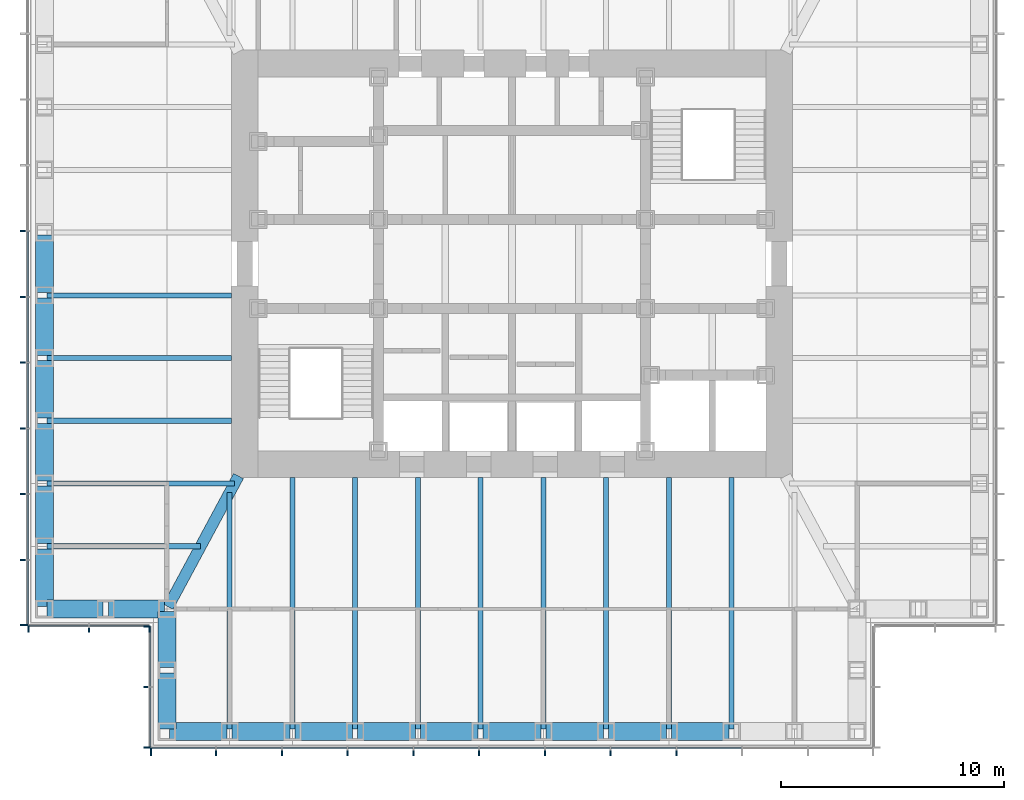
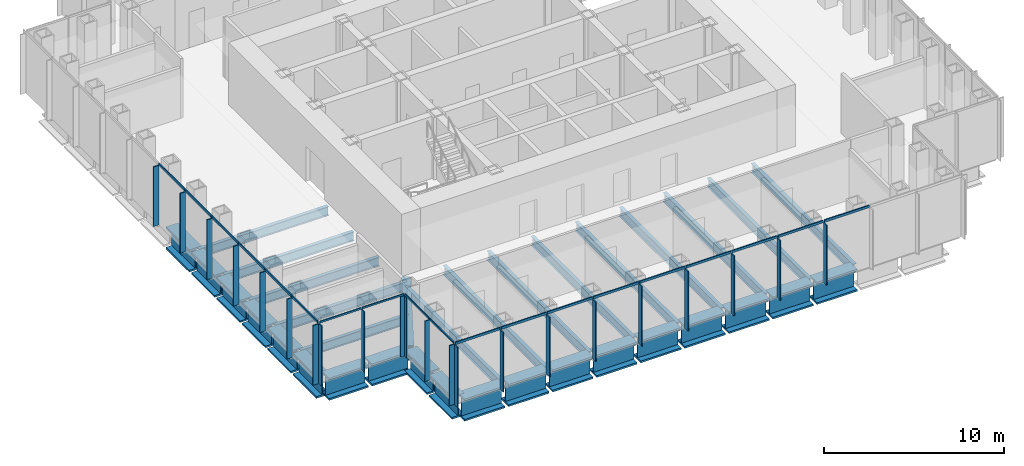
# One storey, part 2 of 17: 41 members, 34 beams, 4 elements without a shape of their own.
"""IFC4 building model written with IfcOpenShell, lengths in metres."""

from ifc_helpers import new_model, si_unit, direction, frame, origin, origin_2d, place, context, subcontext, project, spatial, rectangle, i_section, extrude, material, material_profile, profile_set, type_object, element, aggregate, save


model = new_model("IFC4")

# Units and contexts
model_context = context("Model", 3, precision=1e-05, world=origin(), true_north=direction((0.0, 1.0)))
body_context = subcontext(model_context, "Body", "Model", "MODEL_VIEW")
ifc_project = project(units=[si_unit("LENGTHUNIT", "METRE"), si_unit("AREAUNIT", "SQUARE_METRE"), si_unit("VOLUMEUNIT", "CUBIC_METRE"), si_unit("PLANEANGLEUNIT", "RADIAN"), si_unit("MASSUNIT", "GRAM", prefix="KILO")], contexts=[model_context])

# Site, building, storey
site_placement = place(None, origin())
site = spatial("IfcSite", under=ifc_project, at=site_placement, CompositionType="ELEMENT")
building_placement = place(site_placement, origin())
building = spatial("IfcBuilding", under=site, at=building_placement, Name="Daluyong Arena Tower", CompositionType="ELEMENT")
storey_placement = place(building_placement, frame((0.0, 0.0, 223.300048828125)))
storey = spatial("IfcBuildingStorey", under=building, at=storey_placement, Name="L50", CompositionType="ELEMENT", Elevation=223.300048828125)

# Curtain wall, members
ifc_material_1 = material(Name="Bronze anodised aluminium and glass", Category="aluminium")
curtain_wall_type_1 = type_object("IfcCurtainWallType", Name="Curtain wall CW3", PredefinedType="USERDEFINED", material=ifc_material_1)
curtain_wall_1_placement = place(storey_placement, origin())
curtain_wall_1 = element("IfcCurtainWall", 1, at=curtain_wall_1_placement, inside=storey, type_object=curtain_wall_type_1, Name="curtain wall L50 S", ObjectType="UNITISED CURTAIN WALL", PredefinedType="USERDEFINED")
ifc_material_2 = material(Name="Bronze anodised aluminium fin", Category="aluminium")
ifc_material_profile_1 = material_profile(ifc_material_2, rectangle(XDim=0.35009765625, YDim=0.070068359375, at=origin_2d()))
ifc_profile_set_1 = profile_set([ifc_material_profile_1], Name="Bronze anodised aluminium fin")
member_type_1 = type_object("IfcMemberType", Name="CW3 bronze fin 350x70", PredefinedType="MULLION", material=ifc_profile_set_1)
member_1_placement = place(storey_placement, frame((39.784912109375, 58.074951171875, 0.0), z_axis=(0.0, 0.0, 1.0), x_axis=(0.0, 1.0, 0.0)))
member_1 = element("IfcMember", 2, at=member_1_placement, type_object=member_type_1, Name="curtain wall L50 S fin 1", PredefinedType="MULLION", context=body_context, shape_type="SweptSolid", body=[
    extrude(rectangle(XDim=0.35009765625, YDim=0.070068359375, at=origin_2d()), origin(), (0.0, 0.0, 1.0), 4.0400390625),
])
member_2_placement = place(storey_placement, frame((42.70458984375, 58.074951171875, 0.0), z_axis=(0.0, 0.0, 1.0), x_axis=(0.0, 1.0, 0.0)))
member_2 = element("IfcMember", 3, at=member_2_placement, type_object=member_type_1, Name="curtain wall L50 S fin 2", PredefinedType="MULLION", context=body_context, shape_type="SweptSolid", body=[
    extrude(rectangle(XDim=0.35009765625, YDim=0.070068359375, at=origin_2d()), origin(), (0.0, 0.0, 1.0), 4.0400390625),
])
member_3_placement = place(storey_placement, frame((45.6591796875, 58.074951171875, 0.0), z_axis=(0.0, 0.0, 1.0), x_axis=(0.0, 1.0, 0.0)))
member_3 = element("IfcMember", 4, at=member_3_placement, type_object=member_type_1, Name="curtain wall L50 S fin 3", PredefinedType="MULLION", context=body_context, shape_type="SweptSolid", body=[
    extrude(rectangle(XDim=0.35009765625, YDim=0.070068359375, at=origin_2d()), origin(), (0.0, 0.0, 1.0), 4.0400390625),
])
member_4_placement = place(storey_placement, frame((48.613525390625, 58.074951171875, 0.0), z_axis=(0.0, 0.0, 1.0), x_axis=(0.0, 1.0, 0.0)))
member_4 = element("IfcMember", 5, at=member_4_placement, type_object=member_type_1, Name="curtain wall L50 S fin 4", PredefinedType="MULLION", context=body_context, shape_type="SweptSolid", body=[
    extrude(rectangle(XDim=0.35009765625, YDim=0.070068359375, at=origin_2d()), origin(), (0.0, 0.0, 1.0), 4.0400390625),
])
member_5_placement = place(storey_placement, frame((51.568115234375, 58.074951171875, 0.0), z_axis=(0.0, 0.0, 1.0), x_axis=(0.0, 1.0, 0.0)))
member_5 = element("IfcMember", 6, at=member_5_placement, type_object=member_type_1, Name="curtain wall L50 S fin 5", PredefinedType="MULLION", context=body_context, shape_type="SweptSolid", body=[
    extrude(rectangle(XDim=0.35009765625, YDim=0.070068359375, at=origin_2d()), origin(), (0.0, 0.0, 1.0), 4.0400390625),
])
member_6_placement = place(storey_placement, frame((54.522705078125, 58.074951171875, 0.0), z_axis=(0.0, 0.0, 1.0), x_axis=(0.0, 1.0, 0.0)))
member_6 = element("IfcMember", 7, at=member_6_placement, type_object=member_type_1, Name="curtain wall L50 S fin 6", PredefinedType="MULLION", context=body_context, shape_type="SweptSolid", body=[
    extrude(rectangle(XDim=0.35009765625, YDim=0.070068359375, at=origin_2d()), origin(), (0.0, 0.0, 1.0), 4.0400390625),
])
member_7_placement = place(storey_placement, frame((57.477294921875, 58.074951171875, 0.0), z_axis=(0.0, 0.0, 1.0), x_axis=(0.0, 1.0, 0.0)))
member_7 = element("IfcMember", 8, at=member_7_placement, type_object=member_type_1, Name="curtain wall L50 S fin 7", PredefinedType="MULLION", context=body_context, shape_type="SweptSolid", body=[
    extrude(rectangle(XDim=0.35009765625, YDim=0.070068359375, at=origin_2d()), origin(), (0.0, 0.0, 1.0), 4.0400390625),
])
member_8_placement = place(storey_placement, frame((60.431884765625, 58.074951171875, 0.0), z_axis=(0.0, 0.0, 1.0), x_axis=(0.0, 1.0, 0.0)))
member_8 = element("IfcMember", 9, at=member_8_placement, type_object=member_type_1, Name="curtain wall L50 S fin 8", PredefinedType="MULLION", context=body_context, shape_type="SweptSolid", body=[
    extrude(rectangle(XDim=0.35009765625, YDim=0.070068359375, at=origin_2d()), origin(), (0.0, 0.0, 1.0), 4.0400390625),
])
member_9_placement = place(storey_placement, frame((63.386474609375, 58.074951171875, 0.0), z_axis=(0.0, 0.0, 1.0), x_axis=(0.0, 1.0, 0.0)))
member_9 = element("IfcMember", 10, at=member_9_placement, type_object=member_type_1, Name="curtain wall L50 S fin 9", PredefinedType="MULLION", context=body_context, shape_type="SweptSolid", body=[
    extrude(rectangle(XDim=0.35009765625, YDim=0.070068359375, at=origin_2d()), origin(), (0.0, 0.0, 1.0), 4.0400390625),
])

curtain_wall_2_placement = place(storey_placement, origin())
curtain_wall_2 = element("IfcCurtainWall", 11, at=curtain_wall_2_placement, inside=storey, type_object=curtain_wall_type_1, Name="curtain wall L50 W", ObjectType="UNITISED CURTAIN WALL", PredefinedType="USERDEFINED")
member_10_placement = place(storey_placement, frame((34.074951171875, 81.477294921875, 0.0), z_axis=(0.0, 0.0, 1.0), x_axis=(1.0, 0.0, 0.0)))
member_10 = element("IfcMember", 12, at=member_10_placement, type_object=member_type_1, Name="curtain wall L50 W fin 6", PredefinedType="MULLION", context=body_context, shape_type="SweptSolid", body=[
    extrude(rectangle(XDim=0.35009765625, YDim=0.070068359375, at=origin_2d()), origin(), (0.0, 0.0, 1.0), 4.0400390625),
])
member_11_placement = place(storey_placement, frame((34.074951171875, 78.522705078125, 0.0), z_axis=(0.0, 0.0, 1.0), x_axis=(1.0, 0.0, 0.0)))
member_11 = element("IfcMember", 13, at=member_11_placement, type_object=member_type_1, Name="curtain wall L50 W fin 7", PredefinedType="MULLION", context=body_context, shape_type="SweptSolid", body=[
    extrude(rectangle(XDim=0.35009765625, YDim=0.070068359375, at=origin_2d()), origin(), (0.0, 0.0, 1.0), 4.0400390625),
])
member_12_placement = place(storey_placement, frame((34.074951171875, 75.568115234375, 0.0), z_axis=(0.0, 0.0, 1.0), x_axis=(1.0, 0.0, 0.0)))
member_12 = element("IfcMember", 14, at=member_12_placement, type_object=member_type_1, Name="curtain wall L50 W fin 8", PredefinedType="MULLION", context=body_context, shape_type="SweptSolid", body=[
    extrude(rectangle(XDim=0.35009765625, YDim=0.070068359375, at=origin_2d()), origin(), (0.0, 0.0, 1.0), 4.0400390625),
])
member_13_placement = place(storey_placement, frame((34.074951171875, 72.613525390625, 0.0), z_axis=(0.0, 0.0, 1.0), x_axis=(1.0, 0.0, 0.0)))
member_13 = element("IfcMember", 15, at=member_13_placement, type_object=member_type_1, Name="curtain wall L50 W fin 9", PredefinedType="MULLION", context=body_context, shape_type="SweptSolid", body=[
    extrude(rectangle(XDim=0.35009765625, YDim=0.070068359375, at=origin_2d()), origin(), (0.0, 0.0, 1.0), 4.0400390625),
])
member_14_placement = place(storey_placement, frame((34.074951171875, 69.6591796875, 0.0), z_axis=(0.0, 0.0, 1.0), x_axis=(1.0, 0.0, 0.0)))
member_14 = element("IfcMember", 16, at=member_14_placement, type_object=member_type_1, Name="curtain wall L50 W fin 10", PredefinedType="MULLION", context=body_context, shape_type="SweptSolid", body=[
    extrude(rectangle(XDim=0.35009765625, YDim=0.070068359375, at=origin_2d()), origin(), (0.0, 0.0, 1.0), 4.0400390625),
])
member_15_placement = place(storey_placement, frame((34.074951171875, 66.70458984375, 0.0), z_axis=(0.0, 0.0, 1.0), x_axis=(1.0, 0.0, 0.0)))
member_15 = element("IfcMember", 17, at=member_15_placement, type_object=member_type_1, Name="curtain wall L50 W fin 11", PredefinedType="MULLION", context=body_context, shape_type="SweptSolid", body=[
    extrude(rectangle(XDim=0.35009765625, YDim=0.070068359375, at=origin_2d()), origin(), (0.0, 0.0, 1.0), 4.0400390625),
])
member_16_placement = place(storey_placement, frame((34.074951171875, 63.784912109375, 0.0), z_axis=(0.0, 0.0, 1.0), x_axis=(1.0, 0.0, 0.0)))
member_16 = element("IfcMember", 18, at=member_16_placement, type_object=member_type_1, Name="curtain wall L50 W fin 12", PredefinedType="MULLION", context=body_context, shape_type="SweptSolid", body=[
    extrude(rectangle(XDim=0.35009765625, YDim=0.070068359375, at=origin_2d()), origin(), (0.0, 0.0, 1.0), 4.0400390625),
])

# Member
ifc_material_3 = material(Name="Bronze anodised aluminium", Category="aluminium")
ifc_material_profile_2 = material_profile(ifc_material_3, rectangle(XDim=0.070068359375, YDim=0.159912109375, at=origin_2d()))
ifc_profile_set_2 = profile_set([ifc_material_profile_2], Name="Bronze anodised aluminium")
member_type_2 = type_object("IfcMemberType", Name="CW3 stack transom 160x70", PredefinedType="USERDEFINED", material=ifc_profile_set_2)
member_17_placement = place(storey_placement, frame((39.820068359375, 58.25, 4.119873046875), z_axis=(1.0, 0.0, 0.0), x_axis=(0.0, 1.0, 0.0)))
member_17 = element("IfcMember", 19, at=member_17_placement, type_object=member_type_2, Name="curtain wall L50 S transom 1", ObjectType="TRANSOM", PredefinedType="USERDEFINED", context=body_context, shape_type="SweptSolid", body=[
    extrude(rectangle(XDim=0.070068359375, YDim=0.159912109375, at=origin_2d()), origin(), (0.0, 0.0, 1.0), 2.849365234375),
])

member_18_placement = place(storey_placement, frame((42.739501953125, 58.25, 4.119873046875), z_axis=(1.0, 0.0, 0.0), x_axis=(0.0, 1.0, 0.0)))
member_18 = element("IfcMember", 20, at=member_18_placement, type_object=member_type_2, Name="curtain wall L50 S transom 2", ObjectType="TRANSOM", PredefinedType="USERDEFINED", context=body_context, shape_type="SweptSolid", body=[
    extrude(rectangle(XDim=0.070068359375, YDim=0.159912109375, at=origin_2d()), origin(), (0.0, 0.0, 1.0), 2.884521484375),
])

member_19_placement = place(storey_placement, frame((45.694091796875, 58.25, 4.119873046875), z_axis=(1.0, 0.0, 0.0), x_axis=(0.0, 1.0, 0.0)))
member_19 = element("IfcMember", 21, at=member_19_placement, type_object=member_type_2, Name="curtain wall L50 S transom 3", ObjectType="TRANSOM", PredefinedType="USERDEFINED", context=body_context, shape_type="SweptSolid", body=[
    extrude(rectangle(XDim=0.070068359375, YDim=0.159912109375, at=origin_2d()), origin(), (0.0, 0.0, 1.0), 2.884521484375),
])

member_20_placement = place(storey_placement, frame((48.648681640625, 58.25, 4.119873046875), z_axis=(1.0, 0.0, 0.0), x_axis=(0.0, 1.0, 0.0)))
member_20 = element("IfcMember", 22, at=member_20_placement, type_object=member_type_2, Name="curtain wall L50 S transom 4", ObjectType="TRANSOM", PredefinedType="USERDEFINED", context=body_context, shape_type="SweptSolid", body=[
    extrude(rectangle(XDim=0.070068359375, YDim=0.159912109375, at=origin_2d()), origin(), (0.0, 0.0, 1.0), 2.884521484375),
])

member_21_placement = place(storey_placement, frame((51.603271484375, 58.25, 4.119873046875), z_axis=(1.0, 0.0, 0.0), x_axis=(0.0, 1.0, 0.0)))
member_21 = element("IfcMember", 23, at=member_21_placement, type_object=member_type_2, Name="curtain wall L50 S transom 5", ObjectType="TRANSOM", PredefinedType="USERDEFINED", context=body_context, shape_type="SweptSolid", body=[
    extrude(rectangle(XDim=0.070068359375, YDim=0.159912109375, at=origin_2d()), origin(), (0.0, 0.0, 1.0), 2.884521484375),
])

member_22_placement = place(storey_placement, frame((54.5576171875, 58.25, 4.119873046875), z_axis=(1.0, 0.0, 0.0), x_axis=(0.0, 1.0, 0.0)))
member_22 = element("IfcMember", 24, at=member_22_placement, type_object=member_type_2, Name="curtain wall L50 S transom 6", ObjectType="TRANSOM", PredefinedType="USERDEFINED", context=body_context, shape_type="SweptSolid", body=[
    extrude(rectangle(XDim=0.070068359375, YDim=0.159912109375, at=origin_2d()), origin(), (0.0, 0.0, 1.0), 2.884765625),
])

member_23_placement = place(storey_placement, frame((57.51220703125, 58.25, 4.119873046875), z_axis=(1.0, 0.0, 0.0), x_axis=(0.0, 1.0, 0.0)))
member_23 = element("IfcMember", 25, at=member_23_placement, type_object=member_type_2, Name="curtain wall L50 S transom 7", ObjectType="TRANSOM", PredefinedType="USERDEFINED", context=body_context, shape_type="SweptSolid", body=[
    extrude(rectangle(XDim=0.070068359375, YDim=0.159912109375, at=origin_2d()), origin(), (0.0, 0.0, 1.0), 2.884521484375),
])

member_24_placement = place(storey_placement, frame((60.466796875, 58.25, 4.119873046875), z_axis=(1.0, 0.0, 0.0), x_axis=(0.0, 1.0, 0.0)))
member_24 = element("IfcMember", 26, at=member_24_placement, type_object=member_type_2, Name="curtain wall L50 S transom 8", ObjectType="TRANSOM", PredefinedType="USERDEFINED", context=body_context, shape_type="SweptSolid", body=[
    extrude(rectangle(XDim=0.070068359375, YDim=0.159912109375, at=origin_2d()), origin(), (0.0, 0.0, 1.0), 2.884521484375),
])

member_25_placement = place(storey_placement, frame((63.42138671875, 58.25, 4.119873046875), z_axis=(1.0, 0.0, 0.0), x_axis=(0.0, 1.0, 0.0)))
member_25 = element("IfcMember", 27, at=member_25_placement, type_object=member_type_2, Name="curtain wall L50 S transom 9", ObjectType="TRANSOM", PredefinedType="USERDEFINED", context=body_context, shape_type="SweptSolid", body=[
    extrude(rectangle(XDim=0.070068359375, YDim=0.159912109375, at=origin_2d()), origin(), (0.0, 0.0, 1.0), 2.884521484375),
])

aggregate(curtain_wall_1, [member_1, member_2, member_3, member_4, member_5, member_6, member_7, member_8, member_9, member_17, member_18, member_19, member_20, member_21, member_22, member_23, member_24, member_25])

member_26_placement = place(storey_placement, frame((34.25, 81.4423828125, 4.119873046875), z_axis=(0.0, -1.0, 0.0), x_axis=(1.0, 0.0, 0.0)))
member_26 = element("IfcMember", 28, at=member_26_placement, type_object=member_type_2, Name="curtain wall L50 W transom 6", ObjectType="TRANSOM", PredefinedType="USERDEFINED", context=body_context, shape_type="SweptSolid", body=[
    extrude(rectangle(XDim=0.070068359375, YDim=0.159912109375, at=origin_2d()), origin(), (0.0, 0.0, 1.0), 2.884765625),
])

member_27_placement = place(storey_placement, frame((34.25, 78.48779296875, 4.119873046875), z_axis=(0.0, -1.0, 0.0), x_axis=(1.0, 0.0, 0.0)))
member_27 = element("IfcMember", 29, at=member_27_placement, type_object=member_type_2, Name="curtain wall L50 W transom 7", ObjectType="TRANSOM", PredefinedType="USERDEFINED", context=body_context, shape_type="SweptSolid", body=[
    extrude(rectangle(XDim=0.070068359375, YDim=0.159912109375, at=origin_2d()), origin(), (0.0, 0.0, 1.0), 2.884521484375),
])

member_28_placement = place(storey_placement, frame((34.25, 75.533203125, 4.119873046875), z_axis=(0.0, -1.0, 0.0), x_axis=(1.0, 0.0, 0.0)))
member_28 = element("IfcMember", 30, at=member_28_placement, type_object=member_type_2, Name="curtain wall L50 W transom 8", ObjectType="TRANSOM", PredefinedType="USERDEFINED", context=body_context, shape_type="SweptSolid", body=[
    extrude(rectangle(XDim=0.070068359375, YDim=0.159912109375, at=origin_2d()), origin(), (0.0, 0.0, 1.0), 2.884521484375),
])

member_29_placement = place(storey_placement, frame((34.25, 72.57861328125, 4.119873046875), z_axis=(0.0, -1.0, 0.0), x_axis=(1.0, 0.0, 0.0)))
member_29 = element("IfcMember", 31, at=member_29_placement, type_object=member_type_2, Name="curtain wall L50 W transom 9", ObjectType="TRANSOM", PredefinedType="USERDEFINED", context=body_context, shape_type="SweptSolid", body=[
    extrude(rectangle(XDim=0.070068359375, YDim=0.159912109375, at=origin_2d()), origin(), (0.0, 0.0, 1.0), 2.884521484375),
])

member_30_placement = place(storey_placement, frame((34.25, 69.6240234375, 4.119873046875), z_axis=(0.0, -1.0, 0.0), x_axis=(1.0, 0.0, 0.0)))
member_30 = element("IfcMember", 32, at=member_30_placement, type_object=member_type_2, Name="curtain wall L50 W transom 10", ObjectType="TRANSOM", PredefinedType="USERDEFINED", context=body_context, shape_type="SweptSolid", body=[
    extrude(rectangle(XDim=0.070068359375, YDim=0.159912109375, at=origin_2d()), origin(), (0.0, 0.0, 1.0), 2.884521484375),
])

member_31_placement = place(storey_placement, frame((34.25, 66.66943359375, 4.119873046875), z_axis=(0.0, -1.0, 0.0), x_axis=(1.0, 0.0, 0.0)))
member_31 = element("IfcMember", 33, at=member_31_placement, type_object=member_type_2, Name="curtain wall L50 W transom 11", ObjectType="TRANSOM", PredefinedType="USERDEFINED", context=body_context, shape_type="SweptSolid", body=[
    extrude(rectangle(XDim=0.070068359375, YDim=0.159912109375, at=origin_2d()), origin(), (0.0, 0.0, 1.0), 2.849365234375),
])

aggregate(curtain_wall_2, [member_10, member_11, member_12, member_13, member_14, member_15, member_16, member_26, member_27, member_28, member_29, member_30, member_31])

# Curtain wall, members
ifc_material_4 = material(Name="Bronze anodised aluminium and glass", Category="aluminium")
curtain_wall_type_2 = type_object("IfcCurtainWallType", Name="Curtain wall CW7", PredefinedType="USERDEFINED", material=ifc_material_4)
curtain_wall_3_placement = place(storey_placement, origin())
curtain_wall_3 = element("IfcCurtainWall", 34, at=curtain_wall_3_placement, inside=storey, type_object=curtain_wall_type_2, Name="curtain wall L50 SW-S", ObjectType="UNITISED CURTAIN WALL", PredefinedType="USERDEFINED")
ifc_material_5 = material(Name="Bronze anodised aluminium fin", Category="aluminium")
ifc_material_profile_3 = material_profile(ifc_material_5, rectangle(XDim=0.300048828125, YDim=0.06005859375, at=origin_2d()))
ifc_profile_set_3 = profile_set([ifc_material_profile_3], Name="Bronze anodised aluminium fin")
member_type_3 = type_object("IfcMemberType", Name="CW7 bronze fin 300x60", PredefinedType="MULLION", material=ifc_profile_set_3)
member_32_placement = place(storey_placement, frame((34.280029296875, 63.60009765625, 0.0), z_axis=(0.0, 0.0, 1.0), x_axis=(0.0, 1.0, 0.0)))
member_32 = element("IfcMember", 35, at=member_32_placement, type_object=member_type_3, Name="curtain wall L50 SW-S fin 1", PredefinedType="MULLION", context=body_context, shape_type="SweptSolid", body=[
    extrude(rectangle(XDim=0.300048828125, YDim=0.06005859375, at=origin_2d()), origin(), (0.0, 0.0, 1.0), 4.079833984375),
])
member_33_placement = place(storey_placement, frame((37.0, 63.60009765625, 0.0), z_axis=(0.0, 0.0, 1.0), x_axis=(0.0, 1.0, 0.0)))
member_33 = element("IfcMember", 36, at=member_33_placement, type_object=member_type_3, Name="curtain wall L50 SW-S fin 2", PredefinedType="MULLION", context=body_context, shape_type="SweptSolid", body=[
    extrude(rectangle(XDim=0.300048828125, YDim=0.06005859375, at=origin_2d()), origin(), (0.0, 0.0, 1.0), 4.079833984375),
])
member_34_placement = place(storey_placement, frame((39.719970703125, 63.60009765625, 0.0), z_axis=(0.0, 0.0, 1.0), x_axis=(0.0, 1.0, 0.0)))
member_34 = element("IfcMember", 37, at=member_34_placement, type_object=member_type_3, Name="curtain wall L50 SW-S fin 3", PredefinedType="MULLION", context=body_context, shape_type="SweptSolid", body=[
    extrude(rectangle(XDim=0.300048828125, YDim=0.06005859375, at=origin_2d()), origin(), (0.0, 0.0, 1.0), 4.079833984375),
])

curtain_wall_4_placement = place(storey_placement, origin())
curtain_wall_4 = element("IfcCurtainWall", 38, at=curtain_wall_4_placement, inside=storey, type_object=curtain_wall_type_2, Name="curtain wall L50 SW-W", ObjectType="UNITISED CURTAIN WALL", PredefinedType="USERDEFINED")
member_35_placement = place(storey_placement, frame((39.60009765625, 63.719970703125, 0.0), z_axis=(0.0, 0.0, 1.0), x_axis=(1.0, 0.0, 0.0)))
member_35 = element("IfcMember", 39, at=member_35_placement, type_object=member_type_3, Name="curtain wall L50 SW-W fin 1", PredefinedType="MULLION", context=body_context, shape_type="SweptSolid", body=[
    extrude(rectangle(XDim=0.300048828125, YDim=0.06005859375, at=origin_2d()), origin(), (0.0, 0.0, 1.0), 4.079833984375),
])
member_36_placement = place(storey_placement, frame((39.60009765625, 61.0, 0.0), z_axis=(0.0, 0.0, 1.0), x_axis=(1.0, 0.0, 0.0)))
member_36 = element("IfcMember", 40, at=member_36_placement, type_object=member_type_3, Name="curtain wall L50 SW-W fin 2", PredefinedType="MULLION", context=body_context, shape_type="SweptSolid", body=[
    extrude(rectangle(XDim=0.300048828125, YDim=0.06005859375, at=origin_2d()), origin(), (0.0, 0.0, 1.0), 4.079833984375),
])
member_37_placement = place(storey_placement, frame((39.60009765625, 58.280029296875, 0.0), z_axis=(0.0, 0.0, 1.0), x_axis=(1.0, 0.0, 0.0)))
member_37 = element("IfcMember", 41, at=member_37_placement, type_object=member_type_3, Name="curtain wall L50 SW-W fin 3", PredefinedType="MULLION", context=body_context, shape_type="SweptSolid", body=[
    extrude(rectangle(XDim=0.300048828125, YDim=0.06005859375, at=origin_2d()), origin(), (0.0, 0.0, 1.0), 4.079833984375),
])

# Member
ifc_material_6 = material(Name="Bronze anodised aluminium", Category="aluminium")
ifc_material_profile_4 = material_profile(ifc_material_6, rectangle(XDim=0.06005859375, YDim=0.1201171875, at=origin_2d()))
ifc_profile_set_4 = profile_set([ifc_material_profile_4], Name="Bronze anodised aluminium")
member_type_4 = type_object("IfcMemberType", Name="CW7 stack transom 120x60", PredefinedType="USERDEFINED", material=ifc_profile_set_4)
member_38_placement = place(storey_placement, frame((34.31005859375, 63.75, 4.139892578125), z_axis=(1.0, 0.0, 0.0), x_axis=(0.0, 1.0, 0.0)))
member_38 = element("IfcMember", 42, at=member_38_placement, type_object=member_type_4, Name="curtain wall L50 SW-S transom 1", ObjectType="TRANSOM", PredefinedType="USERDEFINED", context=body_context, shape_type="SweptSolid", body=[
    extrude(rectangle(XDim=0.06005859375, YDim=0.1201171875, at=origin_2d()), origin(), (0.0, 0.0, 1.0), 2.659912109375),
])

member_39_placement = place(storey_placement, frame((37.030029296875, 63.75, 4.139892578125), z_axis=(1.0, 0.0, 0.0), x_axis=(0.0, 1.0, 0.0)))
member_39 = element("IfcMember", 43, at=member_39_placement, type_object=member_type_4, Name="curtain wall L50 SW-S transom 2", ObjectType="TRANSOM", PredefinedType="USERDEFINED", context=body_context, shape_type="SweptSolid", body=[
    extrude(rectangle(XDim=0.06005859375, YDim=0.1201171875, at=origin_2d()), origin(), (0.0, 0.0, 1.0), 2.659912109375),
])

aggregate(curtain_wall_3, [member_32, member_33, member_34, member_38, member_39])

member_40_placement = place(storey_placement, frame((39.75, 63.68994140625, 4.139892578125), z_axis=(0.0, -1.0, 0.0), x_axis=(1.0, 0.0, 0.0)))
member_40 = element("IfcMember", 44, at=member_40_placement, type_object=member_type_4, Name="curtain wall L50 SW-W transom 1", ObjectType="TRANSOM", PredefinedType="USERDEFINED", context=body_context, shape_type="SweptSolid", body=[
    extrude(rectangle(XDim=0.06005859375, YDim=0.1201171875, at=origin_2d()), origin(), (0.0, 0.0, 1.0), 2.659912109375),
])

member_41_placement = place(storey_placement, frame((39.75, 60.969970703125, 4.139892578125), z_axis=(0.0, -1.0, 0.0), x_axis=(1.0, 0.0, 0.0)))
member_41 = element("IfcMember", 45, at=member_41_placement, type_object=member_type_4, Name="curtain wall L50 SW-W transom 2", ObjectType="TRANSOM", PredefinedType="USERDEFINED", context=body_context, shape_type="SweptSolid", body=[
    extrude(rectangle(XDim=0.06005859375, YDim=0.1201171875, at=origin_2d()), origin(), (0.0, 0.0, 1.0), 2.659912109375),
])

aggregate(curtain_wall_4, [member_35, member_36, member_37, member_40, member_41])

# Beams
ifc_material_7 = material(Name="Steel ASTM A572 Grade 50", Category="steel")
ifc_material_profile_5 = material_profile(ifc_material_7, i_section(OverallWidth=0.5, OverallDepth=1.0, WebThickness=0.03, FlangeThickness=0.06, at=origin_2d()))
ifc_profile_set_5 = profile_set([ifc_material_profile_5], Name="Steel ASTM A572 Grade 50")
beam_type_1 = type_object("IfcBeamType", Name="Corner girder TB1000X500", PredefinedType="BEAM", material=ifc_profile_set_5)
beam_1_placement = place(storey_placement, frame((40.554443359375, 64.601318359375, -0.66015625), z_axis=(0.474119475266, 0.880460517669, 0.0), x_axis=(-0.880460517669, 0.474119475266, 0.0)))
element("IfcBeam", 46, at=beam_1_placement, inside=storey, type_object=beam_type_1, Name="corner girder DG2", PredefinedType="BEAM", context=body_context, shape_type="SweptSolid", body=[
    extrude(i_section(OverallWidth=0.5, OverallDepth=1.0, WebThickness=0.03, FlangeThickness=0.06, at=origin_2d()), origin(), (0.0, 0.0, 1.0), 6.66748046875),
])
ifc_material_8 = material(Name="Steel ASTM A992 Grade 50", Category="steel")
ifc_material_profile_6 = material_profile(ifc_material_8, i_section(OverallWidth=0.22900390625, OverallDepth=0.612060546875, WebThickness=0.011962890625, FlangeThickness=0.01953125, at=origin_2d()))
ifc_profile_set_6 = profile_set([ifc_material_profile_6], Name="Steel ASTM A992 Grade 50")
beam_type_2 = type_object("IfcBeamType", Name="Floor beam W24X84", PredefinedType="BEAM", material=ifc_profile_set_6)
beam_2_placement = place(storey_placement, frame((43.318115234375, 59.114990234375, -0.466064453125), z_axis=(0.0, 1.0, 0.0), x_axis=(-1.0, 0.0, 0.0)))
element("IfcBeam", 47, at=beam_2_placement, inside=storey, type_object=beam_type_2, Name="floor beam FB3", PredefinedType="BEAM", context=body_context, shape_type="SweptSolid", body=[
    extrude(i_section(OverallWidth=0.22900390625, OverallDepth=0.612060546875, WebThickness=0.011962890625, FlangeThickness=0.01953125, at=origin_2d()), origin(), (0.0, 0.0, 1.0), 10.618896484375),
])
for number, where, z_axis, x_axis, name in (
    (48, (46.136474609375, 59.114990234375, -0.466064453125), (0.0, 1.0, 0.0), (-1.0, 0.0, 0.0), "floor beam FB3"),
    (49, (48.95458984375, 59.114990234375, -0.466064453125), (0.0, 1.0, 0.0), (-1.0, 0.0, 0.0), "floor beam FB3"),
    (50, (51.772705078125, 59.114990234375, -0.466064453125), (0.0, 1.0, 0.0), (-1.0, 0.0, 0.0), "floor beam FB3"),
    (51, (54.5908203125, 59.114990234375, -0.466064453125), (0.0, 1.0, 0.0), (-1.0, 0.0, 0.0), "floor beam FB3"),
    (52, (57.4091796875, 59.114990234375, -0.466064453125), (0.0, 1.0, 0.0), (-1.0, 0.0, 0.0), "floor beam FB3"),
    (53, (60.227294921875, 59.114990234375, -0.466064453125), (0.0, 1.0, 0.0), (-1.0, 0.0, 0.0), "floor beam FB3"),
    (54, (63.04541015625, 59.114990234375, -0.466064453125), (0.0, 1.0, 0.0), (-1.0, 0.0, 0.0), "floor beam FB3"),
    (55, (65.863525390625, 59.114990234375, -0.466064453125), (0.0, 1.0, 0.0), (-1.0, 0.0, 0.0), "floor beam FB3"),
):
    element("IfcBeam", number, at=place(storey_placement, frame(where, z_axis=z_axis, x_axis=x_axis)), inside=storey, type_object=beam_type_2, Name=name, PredefinedType="BEAM", context=body_context, shape_type="SweptSolid", body=[
        extrude(i_section(OverallWidth=0.22900390625, OverallDepth=0.612060546875, WebThickness=0.011962890625, FlangeThickness=0.01953125, at=origin_2d()), origin(), (0.0, 0.0, 1.0), 11.284912109375),
    ])
for number, where, z_axis, x_axis, name in (
    (56, (35.114990234375, 78.5908203125, -0.466064453125), (1.0, 0.0, 0.0), (0.0, 1.0, 0.0), "floor beam FB3"),
    (57, (35.114990234375, 75.772705078125, -0.466064453125), (1.0, 0.0, 0.0), (0.0, 1.0, 0.0), "floor beam FB3"),
    (58, (35.114990234375, 72.95458984375, -0.466064453125), (1.0, 0.0, 0.0), (0.0, 1.0, 0.0), "floor beam FB3"),
):
    element("IfcBeam", number, at=place(storey_placement, frame(where, z_axis=z_axis, x_axis=x_axis)), inside=storey, type_object=beam_type_2, Name=name, PredefinedType="BEAM", context=body_context, shape_type="SweptSolid", body=[
        extrude(i_section(OverallWidth=0.22900390625, OverallDepth=0.612060546875, WebThickness=0.011962890625, FlangeThickness=0.01953125, at=origin_2d()), origin(), (0.0, 0.0, 1.0), 8.284912109375),
    ])
beam_3_placement = place(storey_placement, frame((35.114990234375, 70.136474609375, -0.466064453125), z_axis=(1.0, 0.0, 0.0), x_axis=(0.0, 1.0, 0.0)))
element("IfcBeam", 59, at=beam_3_placement, inside=storey, type_object=beam_type_2, Name="floor beam FB3", PredefinedType="BEAM", context=body_context, shape_type="SweptSolid", body=[
    extrude(i_section(OverallWidth=0.22900390625, OverallDepth=0.612060546875, WebThickness=0.011962890625, FlangeThickness=0.01953125, at=origin_2d()), origin(), (0.0, 0.0, 1.0), 8.419921875),
])
beam_4_placement = place(storey_placement, frame((35.114990234375, 67.318115234375, -0.466064453125), z_axis=(1.0, 0.0, 0.0), x_axis=(0.0, 1.0, 0.0)))
element("IfcBeam", 60, at=beam_4_placement, inside=storey, type_object=beam_type_2, Name="floor beam FB3", PredefinedType="BEAM", context=body_context, shape_type="SweptSolid", body=[
    extrude(i_section(OverallWidth=0.22900390625, OverallDepth=0.612060546875, WebThickness=0.011962890625, FlangeThickness=0.01953125, at=origin_2d()), origin(), (0.0, 0.0, 1.0), 6.902587890625),
])
ifc_material_9 = material(Name="Steel ASTM A588 Grade 50", Category="steel")
ifc_material_profile_7 = material_profile(ifc_material_9, i_section(OverallWidth=0.800048828125, OverallDepth=1.5, WebThickness=0.05, FlangeThickness=0.12, at=origin_2d()))
ifc_profile_set_7 = profile_set([ifc_material_profile_7], Name="Steel ASTM A588 Grade 50")
beam_type_3 = type_object("IfcBeamType", Name="Spandrel Z3 PG1500X800", PredefinedType="SPANDREL", material=ifc_profile_set_7)
beam_5_placement = place(storey_placement, frame((40.614990234375, 59.0, -0.91015625), z_axis=(1.0, 0.0, 0.0), x_axis=(0.0, 1.0, 0.0)))
element("IfcBeam", 61, at=beam_5_placement, inside=storey, type_object=beam_type_3, Name="spandrel z3 SB7", PredefinedType="SPANDREL", context=body_context, shape_type="SweptSolid", body=[
    extrude(i_section(OverallWidth=0.800048828125, OverallDepth=1.5, WebThickness=0.05, FlangeThickness=0.12, at=origin_2d()), origin(), (0.0, 0.0, 1.0), 2.588134765625),
])
beam_6_placement = place(storey_placement, frame((43.43310546875, 59.0, -0.91015625), z_axis=(1.0, 0.0, 0.0), x_axis=(0.0, 1.0, 0.0)))
element("IfcBeam", 62, at=beam_6_placement, inside=storey, type_object=beam_type_3, Name="spandrel z3 SB7", PredefinedType="SPANDREL", context=body_context, shape_type="SweptSolid", body=[
    extrude(i_section(OverallWidth=0.800048828125, OverallDepth=1.5, WebThickness=0.05, FlangeThickness=0.12, at=origin_2d()), origin(), (0.0, 0.0, 1.0), 2.58837890625),
])
for number, where, z_axis, x_axis, name in (
    (63, (46.25146484375, 59.0, -0.91015625), (1.0, 0.0, 0.0), (0.0, 1.0, 0.0), "spandrel z3 SB7"),
    (64, (49.069580078125, 59.0, -0.91015625), (1.0, 0.0, 0.0), (0.0, 1.0, 0.0), "spandrel z3 SB7"),
    (65, (51.8876953125, 59.0, -0.91015625), (1.0, 0.0, 0.0), (0.0, 1.0, 0.0), "spandrel z3 SB7"),
):
    element("IfcBeam", number, at=place(storey_placement, frame(where, z_axis=z_axis, x_axis=x_axis)), inside=storey, type_object=beam_type_3, Name=name, PredefinedType="SPANDREL", context=body_context, shape_type="SweptSolid", body=[
        extrude(i_section(OverallWidth=0.800048828125, OverallDepth=1.5, WebThickness=0.05, FlangeThickness=0.12, at=origin_2d()), origin(), (0.0, 0.0, 1.0), 2.588134765625),
    ])
beam_7_placement = place(storey_placement, frame((54.705810546875, 59.0, -0.91015625), z_axis=(1.0, 0.0, 0.0), x_axis=(0.0, 1.0, 0.0)))
element("IfcBeam", 66, at=beam_7_placement, inside=storey, type_object=beam_type_3, Name="spandrel z3 SB7", PredefinedType="SPANDREL", context=body_context, shape_type="SweptSolid", body=[
    extrude(i_section(OverallWidth=0.800048828125, OverallDepth=1.5, WebThickness=0.05, FlangeThickness=0.12, at=origin_2d()), origin(), (0.0, 0.0, 1.0), 2.58837890625),
])
for number, where, z_axis, x_axis, name in (
    (67, (57.524169921875, 59.0, -0.91015625), (1.0, 0.0, 0.0), (0.0, 1.0, 0.0), "spandrel z3 SB7"),
    (68, (60.34228515625, 59.0, -0.91015625), (1.0, 0.0, 0.0), (0.0, 1.0, 0.0), "spandrel z3 SB7"),
    (69, (63.160400390625, 59.0, -0.91015625), (1.0, 0.0, 0.0), (0.0, 1.0, 0.0), "spandrel z3 SB7"),
):
    element("IfcBeam", number, at=place(storey_placement, frame(where, z_axis=z_axis, x_axis=x_axis)), inside=storey, type_object=beam_type_3, Name=name, PredefinedType="SPANDREL", context=body_context, shape_type="SweptSolid", body=[
        extrude(i_section(OverallWidth=0.800048828125, OverallDepth=1.5, WebThickness=0.05, FlangeThickness=0.12, at=origin_2d()), origin(), (0.0, 0.0, 1.0), 2.588134765625),
    ])
beam_8_placement = place(storey_placement, frame((35.0, 81.294189453125, -0.91015625), z_axis=(0.0, -1.0, 0.0), x_axis=(1.0, 0.0, 0.0)))
element("IfcBeam", 70, at=beam_8_placement, inside=storey, type_object=beam_type_3, Name="spandrel z3 SB7", PredefinedType="SPANDREL", context=body_context, shape_type="SweptSolid", body=[
    extrude(i_section(OverallWidth=0.800048828125, OverallDepth=1.5, WebThickness=0.05, FlangeThickness=0.12, at=origin_2d()), origin(), (0.0, 0.0, 1.0), 2.58837890625),
])
for number, where, z_axis, x_axis, name in (
    (71, (35.0, 78.475830078125, -0.91015625), (0.0, -1.0, 0.0), (1.0, 0.0, 0.0), "spandrel z3 SB7"),
    (72, (35.0, 75.65771484375, -0.91015625), (0.0, -1.0, 0.0), (1.0, 0.0, 0.0), "spandrel z3 SB7"),
    (73, (35.0, 72.839599609375, -0.91015625), (0.0, -1.0, 0.0), (1.0, 0.0, 0.0), "spandrel z3 SB7"),
):
    element("IfcBeam", number, at=place(storey_placement, frame(where, z_axis=z_axis, x_axis=x_axis)), inside=storey, type_object=beam_type_3, Name=name, PredefinedType="SPANDREL", context=body_context, shape_type="SweptSolid", body=[
        extrude(i_section(OverallWidth=0.800048828125, OverallDepth=1.5, WebThickness=0.05, FlangeThickness=0.12, at=origin_2d()), origin(), (0.0, 0.0, 1.0), 2.588134765625),
    ])
beam_9_placement = place(storey_placement, frame((35.0, 70.021484375, -0.91015625), z_axis=(0.0, -1.0, 0.0), x_axis=(1.0, 0.0, 0.0)))
element("IfcBeam", 74, at=beam_9_placement, inside=storey, type_object=beam_type_3, Name="spandrel z3 SB7", PredefinedType="SPANDREL", context=body_context, shape_type="SweptSolid", body=[
    extrude(i_section(OverallWidth=0.800048828125, OverallDepth=1.5, WebThickness=0.05, FlangeThickness=0.12, at=origin_2d()), origin(), (0.0, 0.0, 1.0), 2.58837890625),
])
beam_10_placement = place(storey_placement, frame((35.0, 67.203125, -0.91015625), z_axis=(0.0, -1.0, 0.0), x_axis=(1.0, 0.0, 0.0)))
element("IfcBeam", 75, at=beam_10_placement, inside=storey, type_object=beam_type_3, Name="spandrel z3 SB7", PredefinedType="SPANDREL", context=body_context, shape_type="SweptSolid", body=[
    extrude(i_section(OverallWidth=0.800048828125, OverallDepth=1.5, WebThickness=0.05, FlangeThickness=0.12, at=origin_2d()), origin(), (0.0, 0.0, 1.0), 2.588134765625),
])
for number, where, z_axis, x_axis, name in (
    (76, (35.114990234375, 64.5, -0.91015625), (1.0, 0.0, 0.0), (0.0, 1.0, 0.0), "spandrel z3 SB7"),
    (77, (37.864990234375, 64.5, -0.91015625), (1.0, 0.0, 0.0), (0.0, 1.0, 0.0), "spandrel z3 SB7"),
    (78, (40.5, 64.385009765625, -0.91015625), (0.0, -1.0, 0.0), (1.0, 0.0, 0.0), "spandrel z3 SB7"),
    (79, (40.5, 61.635009765625, -0.91015625), (0.0, -1.0, 0.0), (1.0, 0.0, 0.0), "spandrel z3 SB7"),
):
    element("IfcBeam", number, at=place(storey_placement, frame(where, z_axis=z_axis, x_axis=x_axis)), inside=storey, type_object=beam_type_3, Name=name, PredefinedType="SPANDREL", context=body_context, shape_type="SweptSolid", body=[
        extrude(i_section(OverallWidth=0.800048828125, OverallDepth=1.5, WebThickness=0.05, FlangeThickness=0.12, at=origin_2d()), origin(), (0.0, 0.0, 1.0), 2.52001953125),
    ])

save(model, "model.ifc")
